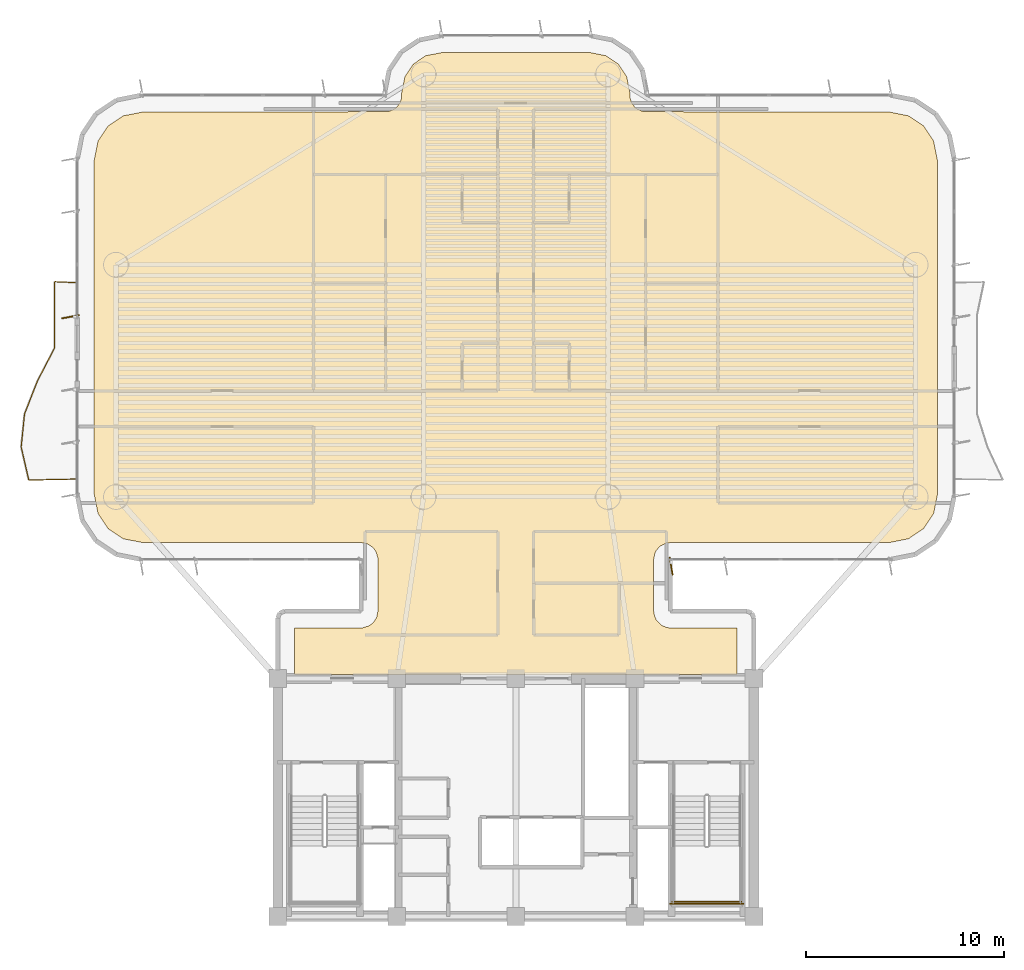
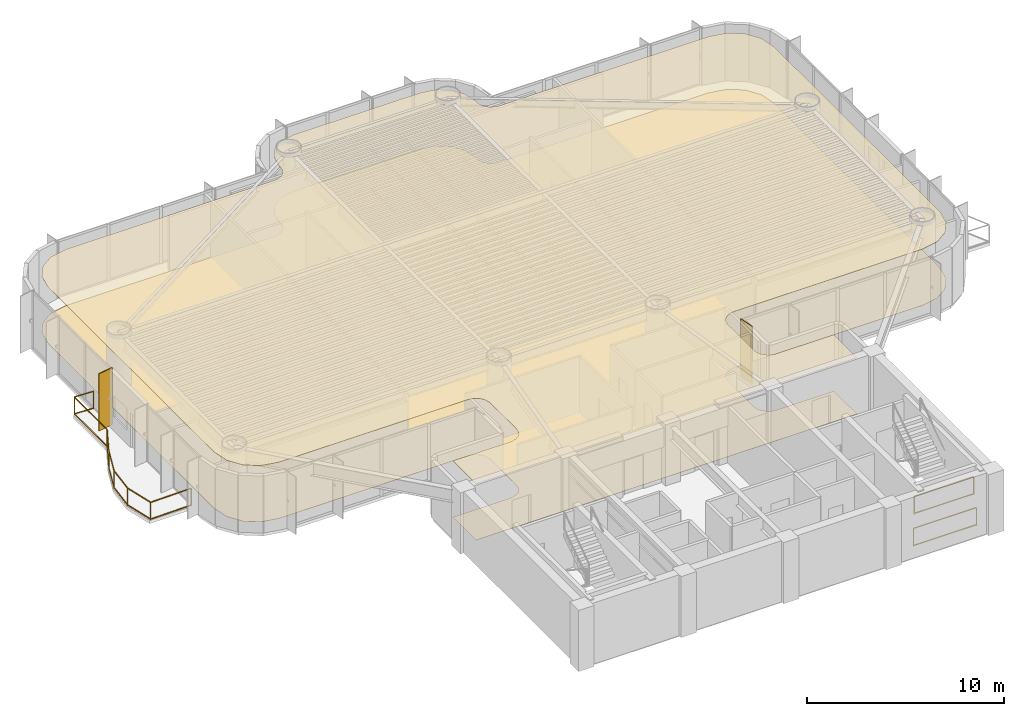
# One storey, part 14 of 16: 3 railings, 2 coverings, 2 shading devices.
"""IFC4 building model written with IfcOpenShell, lengths in metres."""

from ifc_helpers import new_model, si_unit, direction, frame, origin, origin_2d, place, context, subcontext, project, spatial, polyline, rectangle, outline, extrude, source, transform, mapped, material, layer, layer_set, material_profile, profile_set, type_object, element, save


model = new_model("IFC4")

# Units and contexts
model_context = context("Model", 3, precision=1e-05, world=origin(), true_north=direction((0.0, 1.0)))
body_context = subcontext(model_context, "Body", "Model", "MODEL_VIEW")
ifc_project = project(units=[si_unit("LENGTHUNIT", "METRE"), si_unit("AREAUNIT", "SQUARE_METRE"), si_unit("VOLUMEUNIT", "CUBIC_METRE"), si_unit("PLANEANGLEUNIT", "RADIAN"), si_unit("MASSUNIT", "GRAM", prefix="KILO")], contexts=[model_context])

# Site, building, storey
site_placement = place(None, origin())
site = spatial("IfcSite", under=ifc_project, at=site_placement, CompositionType="ELEMENT")
building_placement = place(site_placement, origin())
building = spatial("IfcBuilding", under=site, at=building_placement, Name="Brelvock Crest Care Tower", CompositionType="ELEMENT")
storey_placement = place(building_placement, frame((0.0, 0.0, 138.9599609375)))
storey = spatial("IfcBuildingStorey", under=building, at=storey_placement, Name="L35", CompositionType="ELEMENT", Elevation=138.9599609375)

# Coverings
ifc_material_1 = material(Name="Mineral Fibre Acoustic Ceiling Tile", Category="gypsum")
ifc_layer_1 = layer(ifc_material_1, 0.02490234375, Name="COV-CLG1")
ifc_layer_set_1 = layer_set([ifc_layer_1], Name="Mineral Fibre Acoustic Ceiling Tile")
covering_type_1 = type_object("IfcCoveringType", Name="COV-CLG1", PredefinedType="CEILING", material=ifc_layer_set_1)
covering_1_placement = place(storey_placement, frame((0.0, 0.0, 3.47509765625)))
element("IfcCovering", 1, at=covering_1_placement, inside=storey, type_object=covering_type_1, Name="L35 Acoustic Suspended Ceiling 1", PredefinedType="CEILING", context=body_context, shape_type="SweptSolid", body=[
    extrude(outline(polyline([(24.85009765625, 18.199951171875), (47.14990234375, 18.199951171875), (47.14990234375, 20.550048828125), (43.716796875, 20.55419921875), (43.55322265625, 20.586669921875), (43.327880859375, 20.693359375), (43.09326171875, 20.927734375), (42.986572265625, 21.1533203125), (42.949951171875, 21.39990234375), (42.949951171875, 24.0), (43.0146484375, 24.3251953125), (43.09326171875, 24.47216796875), (43.2607421875, 24.656982421875), (43.55322265625, 24.8134765625), (43.800048828125, 24.85009765625), (54.81640625, 24.85009765625), (55.79296875, 25.044189453125), (56.5498046875, 25.550048828125), (57.0556640625, 26.30712890625), (57.25, 27.28369140625), (57.25, 44.1162109375), (57.0556640625, 45.093017578125), (56.5498046875, 45.849853515625), (55.79296875, 46.355712890625), (54.81640625, 46.550048828125), (42.43408203125, 46.56640625), (42.127685546875, 46.693359375), (41.9990234375, 46.799072265625), (41.850341796875, 46.999267578125), (41.766357421875, 47.234130859375), (41.75, 47.516357421875), (41.586181640625, 48.33984375), (41.1669921875, 48.967041015625), (40.539794921875, 49.38623046875), (39.71630859375, 49.550048828125), (32.28369140625, 49.550048828125), (31.460205078125, 49.38623046875), (30.8330078125, 48.967041015625), (30.413818359375, 48.33984375), (30.25, 47.516357421875), (30.233642578125, 47.234130859375), (30.149658203125, 46.999267578125), (30.0009765625, 46.799072265625), (29.872314453125, 46.693359375), (29.56591796875, 46.56640625), (17.18359375, 46.550048828125), (16.20703125, 46.355712890625), (15.4501953125, 45.849853515625), (14.9443359375, 45.093017578125), (14.75, 44.1162109375), (14.75, 27.28369140625), (14.9443359375, 26.30712890625), (15.4501953125, 25.550048828125), (16.20703125, 25.044189453125), (17.18359375, 24.85009765625), (28.199951171875, 24.85009765625), (28.525390625, 24.785400390625), (28.801025390625, 24.60107421875), (28.94970703125, 24.400634765625), (29.0458984375, 24.083251953125), (29.050048828125, 21.39990234375), (28.9853515625, 21.07470703125), (28.801025390625, 20.799072265625), (28.6005859375, 20.650390625), (28.283203125, 20.55419921875), (24.85009765625, 20.550048828125), (24.85009765625, 18.199951171875)])), origin(), (0.0, 0.0, 1.0), 0.02490234375),
])
ifc_material_2 = material(Name="Slip-Resistant Acoustic Vinyl Flooring", Category="finish")
ifc_layer_2 = layer(ifc_material_2, 0.014892578125, Name="COV-FLR1")
ifc_layer_set_2 = layer_set([ifc_layer_2], Name="Slip-Resistant Acoustic Vinyl Flooring")
covering_type_2 = type_object("IfcCoveringType", Name="COV-FLR1", PredefinedType="FLOORING", material=ifc_layer_set_2)
covering_2_placement = place(storey_placement, origin())
element("IfcCovering", 2, at=covering_2_placement, inside=storey, type_object=covering_type_2, Name="L35 Slip-Resistant Acoustic Flooring 1", PredefinedType="FLOORING", context=body_context, shape_type="SweptSolid", body=[
    extrude(outline(polyline([(24.85009765625, 18.199951171875), (47.14990234375, 18.199951171875), (47.14990234375, 20.550048828125), (43.716796875, 20.55419921875), (43.55322265625, 20.586669921875), (43.327880859375, 20.693359375), (43.09326171875, 20.927734375), (42.986572265625, 21.1533203125), (42.949951171875, 21.39990234375), (42.949951171875, 24.0), (43.0146484375, 24.3251953125), (43.09326171875, 24.47216796875), (43.2607421875, 24.656982421875), (43.55322265625, 24.8134765625), (43.800048828125, 24.85009765625), (54.81640625, 24.85009765625), (55.79296875, 25.044189453125), (56.5498046875, 25.550048828125), (57.0556640625, 26.30712890625), (57.25, 27.28369140625), (57.25, 44.1162109375), (57.0556640625, 45.093017578125), (56.5498046875, 45.849853515625), (55.79296875, 46.355712890625), (54.81640625, 46.550048828125), (42.43408203125, 46.56640625), (42.127685546875, 46.693359375), (41.9990234375, 46.799072265625), (41.850341796875, 46.999267578125), (41.766357421875, 47.234130859375), (41.75, 47.516357421875), (41.586181640625, 48.33984375), (41.1669921875, 48.967041015625), (40.539794921875, 49.38623046875), (39.71630859375, 49.550048828125), (32.28369140625, 49.550048828125), (31.460205078125, 49.38623046875), (30.8330078125, 48.967041015625), (30.413818359375, 48.33984375), (30.25, 47.516357421875), (30.233642578125, 47.234130859375), (30.149658203125, 46.999267578125), (30.0009765625, 46.799072265625), (29.872314453125, 46.693359375), (29.56591796875, 46.56640625), (17.18359375, 46.550048828125), (16.20703125, 46.355712890625), (15.4501953125, 45.849853515625), (14.9443359375, 45.093017578125), (14.75, 44.1162109375), (14.75, 27.28369140625), (14.9443359375, 26.30712890625), (15.4501953125, 25.550048828125), (16.20703125, 25.044189453125), (17.18359375, 24.85009765625), (28.199951171875, 24.85009765625), (28.525390625, 24.785400390625), (28.801025390625, 24.60107421875), (28.94970703125, 24.400634765625), (29.0458984375, 24.083251953125), (29.050048828125, 21.39990234375), (28.9853515625, 21.07470703125), (28.801025390625, 20.799072265625), (28.6005859375, 20.650390625), (28.283203125, 20.55419921875), (24.85009765625, 20.550048828125), (24.85009765625, 18.199951171875)])), origin(), (0.0, 0.0, 1.0), 0.01513671875),
])

# Railings
ifc_material_3 = material(Name="Dark Glass Double Glazed Low-E", Category="glass")
ifc_layer_3 = layer(ifc_material_3, 0.06005859375, Name="RL-BAL1")
ifc_layer_set_3 = layer_set([ifc_layer_3], Name="Dark Glass Double Glazed Low-E")
railing_type_1 = type_object("IfcRailingType", Name="RL-BAL1", PredefinedType="BALUSTRADE", material=ifc_layer_set_3)
railing_1_placement = place(storey_placement, frame((13.860107421875, 28.050048828125, 0.004150390625)))
element("IfcRailing", 3, at=railing_1_placement, inside=storey, type_object=railing_type_1, Name="L35 Safety Balustrade WB-W", PredefinedType="BALUSTRADE", context=body_context, shape_type="SweptSolid", body=[
    extrude(rectangle(XDim=0.048095703125, YDim=0.048095703125, at=origin_2d()), frame((-0.001953125, 0.0, 1.09619140625), z_axis=(-0.999783496855, -0.020807676838, 0.0), x_axis=(0.020807676838, -0.999783496855, 0.0)), (0.0, 0.0, 1.0), 2.4013671875),
    extrude(rectangle(XDim=0.048095703125, YDim=0.048095703125, at=origin_2d()), frame((-0.001953125, 0.0, 0.054931640625), z_axis=(-0.999783496855, -0.020807676838, 0.0), x_axis=(0.020807676838, -0.999783496855, 0.0)), (0.0, 0.0, 1.0), 2.4013671875),
    extrude(rectangle(XDim=0.048095703125, YDim=0.048095703125, at=origin_2d()), frame((-2.4052734375, -0.048095703125, 1.09619140625), z_axis=(-0.22439035679, 0.974499342114, 0.0), x_axis=(-0.974499342114, -0.22439035679, 0.0)), (0.0, 0.0, 1.0), 1.706298828125),
    extrude(rectangle(XDim=0.048095703125, YDim=0.048095703125, at=origin_2d()), frame((-2.4052734375, -0.048095703125, 0.054931640625), z_axis=(-0.22439035679, 0.974499342114, 0.0), x_axis=(-0.974499342114, -0.22439035679, 0.0)), (0.0, 0.0, 1.0), 1.706298828125),
    extrude(rectangle(XDim=0.048095703125, YDim=0.048095703125, at=origin_2d()), frame((-2.788330078125, 1.61865234375, 1.09619140625), z_axis=(0.101148651987, 0.994871323439, 0.0), x_axis=(-0.994871323439, 0.101148651987, 0.0)), (0.0, 0.0, 1.0), 1.671142578125),
    extrude(rectangle(XDim=0.048095703125, YDim=0.048095703125, at=origin_2d()), frame((-2.788330078125, 1.61865234375, 0.054931640625), z_axis=(0.101148651987, 0.994871323439, 0.0), x_axis=(-0.994871323439, 0.101148651987, 0.0)), (0.0, 0.0, 1.0), 1.671142578125),
    extrude(rectangle(XDim=0.048095703125, YDim=0.048095703125, at=origin_2d()), frame((-2.618408203125, 3.28515625, 1.09619140625), z_axis=(0.364466206994, 0.93121661495, 0.0), x_axis=(-0.93121661495, 0.364466206994, 0.0)), (0.0, 0.0, 1.0), 1.785888671875),
    extrude(rectangle(XDim=0.048095703125, YDim=0.048095703125, at=origin_2d()), frame((-2.618408203125, 3.28515625, 0.054931640625), z_axis=(0.364466206994, 0.93121661495, 0.0), x_axis=(-0.93121661495, 0.364466206994, 0.0)), (0.0, 0.0, 1.0), 1.785888671875),
    extrude(rectangle(XDim=0.048095703125, YDim=0.048095703125, at=origin_2d()), frame((-1.9658203125, 4.95166015625, 1.09619140625), z_axis=(0.46114401417, 0.887325305733, 0.0), x_axis=(-0.887325305733, 0.46114401417, 0.0)), (0.0, 0.0, 1.0), 1.87451171875),
    extrude(rectangle(XDim=0.048095703125, YDim=0.048095703125, at=origin_2d()), frame((-1.9658203125, 4.95166015625, 0.054931640625), z_axis=(0.46114401417, 0.887325305733, 0.0), x_axis=(-0.887325305733, 0.46114401417, 0.0)), (0.0, 0.0, 1.0), 1.87451171875),
    extrude(rectangle(XDim=0.048095703125, YDim=0.048095703125, at=origin_2d()), frame((-1.1005859375, 6.61865234375, 1.09619140625), z_axis=(0.00014648795, 0.999999989271, 0.0), x_axis=(-0.999999989271, 0.00014648795, 0.0)), (0.0, 0.0, 1.0), 3.329345703125),
    extrude(rectangle(XDim=0.048095703125, YDim=0.048095703125, at=origin_2d()), frame((-1.1005859375, 6.61865234375, 0.054931640625), z_axis=(0.00014648795, 0.999999989271, 0.0), x_axis=(-0.999999989271, 0.00014648795, 0.0)), (0.0, 0.0, 1.0), 3.329345703125),
    extrude(rectangle(XDim=0.048095703125, YDim=0.048095703125, at=origin_2d()), frame((-1.09814453125, 9.949951171875, 1.09619140625), z_axis=(0.998966710972, -0.045447886318, 0.0), x_axis=(0.045447886318, 0.998966710972, 0.0)), (0.0, 0.0, 1.0), 1.09716796875),
    extrude(rectangle(XDim=0.048095703125, YDim=0.048095703125, at=origin_2d()), frame((-1.09814453125, 9.949951171875, 0.054931640625), z_axis=(0.998966710972, -0.045447886318, 0.0), x_axis=(0.045447886318, 0.998966710972, 0.0)), (0.0, 0.0, 1.0), 1.09716796875),
    extrude(rectangle(XDim=0.0419921875, YDim=0.0419921875, at=origin_2d()), origin(), (0.0, 0.0, 1.0), 1.070068359375),
    extrude(rectangle(XDim=0.0419921875, YDim=0.0419921875, at=origin_2d()), frame((-2.40478515625, -0.050048828125, 0.0)), (0.0, 0.0, 1.0), 1.070068359375),
    extrude(rectangle(XDim=0.0419921875, YDim=0.0419921875, at=origin_2d()), frame((-2.78857421875, 1.61669921875, 0.0)), (0.0, 0.0, 1.0), 1.070068359375),
    extrude(rectangle(XDim=0.0419921875, YDim=0.0419921875, at=origin_2d()), frame((-2.619140625, 3.283203125, 0.0)), (0.0, 0.0, 1.0), 1.070068359375),
    extrude(rectangle(XDim=0.0419921875, YDim=0.0419921875, at=origin_2d()), frame((-1.966796875, 4.949951171875, 0.0)), (0.0, 0.0, 1.0), 1.070068359375),
    extrude(rectangle(XDim=0.0419921875, YDim=0.0419921875, at=origin_2d()), frame((-1.1005859375, 6.61669921875, 0.0)), (0.0, 0.0, 1.0), 1.070068359375),
    extrude(rectangle(XDim=0.0419921875, YDim=0.0419921875, at=origin_2d()), frame((-1.10009765625, 9.949951171875, 0.0)), (0.0, 0.0, 1.0), 1.070068359375),
    extrude(rectangle(XDim=0.0419921875, YDim=0.0419921875, at=origin_2d()), frame((0.0, 9.89990234375, 0.0)), (0.0, 0.0, 1.0), 1.070068359375),
])
ifc_material_4 = material(Name="Steel Grade 350", Category="steel")
ifc_layer_4 = layer(ifc_material_4, 0.050048828125, Name="RL-STG1")
ifc_layer_set_4 = layer_set([ifc_layer_4], Name="Steel Grade 350")
railing_type_2 = type_object("IfcRailingType", Name="RL-STG1", PredefinedType="GUARDRAIL", material=ifc_layer_set_4)
railing_2_placement = place(storey_placement, frame((43.889892578125, 6.75, 1.89013671875)))
element("IfcRailing", 4, at=railing_2_placement, inside=storey, type_object=railing_type_2, Name="L35 ST-2 stair guard 5", PredefinedType="GUARDRAIL", context=body_context, shape_type="SweptSolid", body=[
    extrude(rectangle(XDim=0.048095703125, YDim=0.048095703125, at=origin_2d()), frame((0.001953125, 0.0, 1.11572265625), z_axis=(1.0, 0.0, 0.0), x_axis=(0.0, 1.0, 0.0)), (0.0, 0.0, 1.0), 3.476318359375),
    extrude(rectangle(XDim=0.048095703125, YDim=0.048095703125, at=origin_2d()), frame((0.001953125, 0.0, 0.054931640625), z_axis=(1.0, 0.0, 0.0), x_axis=(0.0, 1.0, 0.0)), (0.0, 0.0, 1.0), 3.476318359375),
    extrude(rectangle(XDim=0.0419921875, YDim=0.0419921875, at=origin_2d()), origin(), (0.0, 0.0, 1.0), 1.08984375),
    extrude(rectangle(XDim=0.0419921875, YDim=0.0419921875, at=origin_2d()), frame((3.480224609375, 0.0, 0.0)), (0.0, 0.0, 1.0), 1.08984375),
])
railing_3_placement = place(storey_placement, frame((43.7900390625, 6.64990234375, 0.0)))
element("IfcRailing", 5, at=railing_3_placement, inside=storey, type_object=railing_type_2, Name="L35 ST-2 stair guard 12", PredefinedType="GUARDRAIL", context=body_context, shape_type="SweptSolid", body=[
    extrude(rectangle(XDim=0.048095703125, YDim=0.048095703125, at=origin_2d()), frame((0.001953125, 0.0, 1.11572265625), z_axis=(1.0, 0.0, 0.0), x_axis=(0.0, 1.0, 0.0)), (0.0, 0.0, 1.0), 3.676025390625),
    extrude(rectangle(XDim=0.048095703125, YDim=0.048095703125, at=origin_2d()), frame((0.001953125, 0.0, 0.054931640625), z_axis=(1.0, 0.0, 0.0), x_axis=(0.0, 1.0, 0.0)), (0.0, 0.0, 1.0), 3.676025390625),
    extrude(rectangle(XDim=0.0419921875, YDim=0.0419921875, at=origin_2d()), origin(), (0.0, 0.0, 1.0), 1.08984375),
    extrude(rectangle(XDim=0.0419921875, YDim=0.0419921875, at=origin_2d()), frame((3.679931640625, 0.0, 0.0)), (0.0, 0.0, 1.0), 1.08984375),
])

# Shading devices
ifc_material_5 = material(Name="Aluminium 6063-T6", Category="aluminium")
ifc_material_profile = material_profile(ifc_material_5, rectangle(XDim=0.054931640625, YDim=0.89990234375, at=origin_2d()), Name="FIN55x900")
ifc_profile_set = profile_set([ifc_material_profile], Name="Aluminium 6063-T6")
shading_device_type = type_object("IfcShadingDeviceType", Name="SHD-FIN1", PredefinedType="USERDEFINED", material=ifc_profile_set)
shared_shape = source(origin(), body_context, "Body", "SweptSolid", [
    extrude(rectangle(XDim=0.054931640625, YDim=0.89990234375, at=origin_2d()), origin(), (0.0, 0.0, 1.0), 3.530029296875),
])
for number, where, z_axis, x_axis, name in (
    (6, (13.56005859375, 36.22998046875, 0.0), (0.0, 0.0, 1.0), (-0.173648177667, 0.984807753012, 0.0), "L35 Vertical Sunshade Fin E17B-01"),
    (7, (43.830078125, 23.659912109375, 0.0), (0.0, 0.0, 1.0), (-0.984807753012, -0.173648177667, 0.0), "L35 Vertical Sunshade Fin E44-05"),
):
    element("IfcShadingDevice", number, at=place(storey_placement, frame(where, z_axis=z_axis, x_axis=x_axis)), inside=storey, type_object=shading_device_type, Name=name, ObjectType="FIN", PredefinedType="USERDEFINED", context=body_context, shape_type="MappedRepresentation", body=[
        mapped(shared_shape, transform((0.0, 0.0, 0.0), x_axis=(1.0, 0.0, 0.0), y_axis=(0.0, 1.0, 0.0), z_axis=(0.0, 0.0, 1.0), scale=1.0)),
    ])

save(model, "model.ifc")
